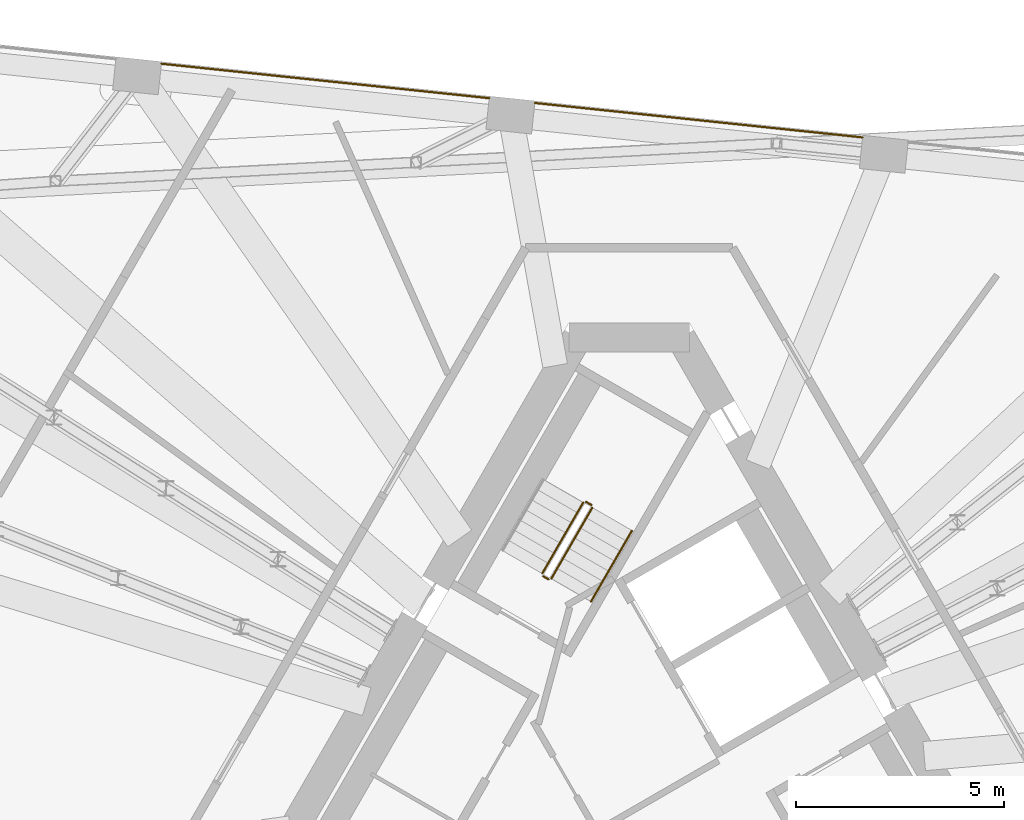
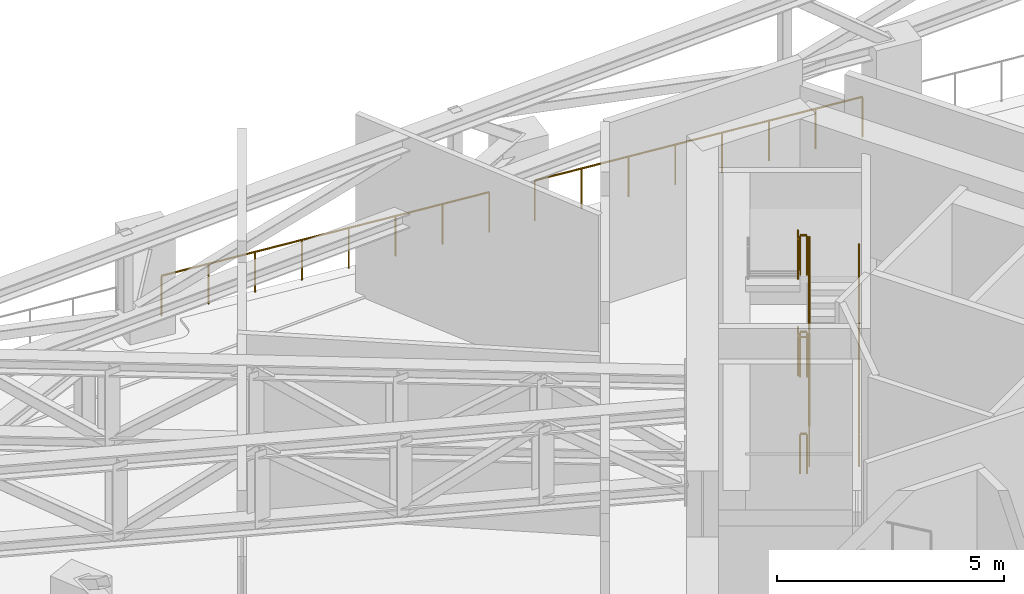
# One storey, part 19 of 20: 12 railings.
"""IFC4 building model written with IfcOpenShell, lengths in metres."""

from ifc_helpers import new_model, si_unit, direction, frame, origin, origin_2d, place, context, subcontext, project, spatial, circle, extrude, material, type_object, element, save


model = new_model("IFC4")

# Units and contexts
model_context = context("Model", 3, precision=1e-05, world=origin(), true_north=direction((0.0, 1.0)))
body_context = subcontext(model_context, "Body", "Model", "MODEL_VIEW")
ifc_project = project(units=[si_unit("LENGTHUNIT", "METRE"), si_unit("AREAUNIT", "SQUARE_METRE"), si_unit("VOLUMEUNIT", "CUBIC_METRE"), si_unit("PLANEANGLEUNIT", "RADIAN"), si_unit("MASSUNIT", "GRAM", prefix="KILO")], contexts=[model_context])

# Site, building, storey
site_placement = place(None, origin())
site = spatial("IfcSite", under=ifc_project, at=site_placement, CompositionType="ELEMENT")
building_placement = place(site_placement, origin())
building = spatial("IfcBuilding", under=site, at=building_placement, Name="Tramontana Tower", CompositionType="ELEMENT")
storey_placement = place(building_placement, frame((0.0, 0.0, 269.199951171875)))
storey = spatial("IfcBuildingStorey", under=building, at=storey_placement, Name="L63", CompositionType="ELEMENT", Elevation=269.199951171875)

# Railings
ifc_material_1 = material(Name="Stainless steel rail and posts", Category="steel")
railing_type_1 = type_object("IfcRailingType", Name="GD2 Terrace guard 1100", PredefinedType="GUARDRAIL", material=ifc_material_1)
for number, where, name in (
    (1, (-3.3583984375, 16.390869140625, 0.0), "Edge guard L63 7"),
    (2, (5.598876953125, 15.449462890625, 0.0), "Edge guard L63 10"),
):
    element("IfcRailing", number, at=place(storey_placement, frame(where)), inside=storey, type_object=railing_type_1, Name=name, PredefinedType="GUARDRAIL", context=body_context, shape_type="SweptSolid", body=[
        extrude(circle(Radius=0.02392578125, at=origin_2d()), frame((0.0, 0.0, 1.076171875), z_axis=(-0.994522528385, 0.104522440343, 0.0), x_axis=(-0.104522440343, -0.994522528385, 0.0)), (0.0, 0.0, 1.0), 7.906494140625),
        extrude(circle(Radius=0.02099609375, at=origin_2d()), origin(), (0.0, 0.0, 1.0), 1.052001953125),
        extrude(circle(Radius=0.02099609375, at=origin_2d()), frame((-1.123291015625, 0.1181640625, 0.0)), (0.0, 0.0, 1.0), 1.052001953125),
        extrude(circle(Radius=0.02099609375, at=origin_2d()), frame((-2.24658203125, 0.236083984375, 0.0)), (0.0, 0.0, 1.0), 1.052001953125),
        extrude(circle(Radius=0.02099609375, at=origin_2d()), frame((-3.369873046875, 0.354248046875, 0.0)), (0.0, 0.0, 1.0), 1.052001953125),
        extrude(circle(Radius=0.02099609375, at=origin_2d()), frame((-4.493408203125, 0.47216796875, 0.0)), (0.0, 0.0, 1.0), 1.052001953125),
        extrude(circle(Radius=0.02099609375, at=origin_2d()), frame((-5.61669921875, 0.59033203125, 0.0)), (0.0, 0.0, 1.0), 1.052001953125),
        extrude(circle(Radius=0.02099609375, at=origin_2d()), frame((-6.739990234375, 0.708251953125, 0.0)), (0.0, 0.0, 1.0), 1.052001953125),
        extrude(circle(Radius=0.02099609375, at=origin_2d()), frame((-7.86328125, 0.826416015625, 0.0)), (0.0, 0.0, 1.0), 1.052001953125),
    ])
ifc_material_2 = material(Name="Painted steel", Category="steel")
railing_type_2 = type_object("IfcRailingType", Name="STAIR GUARD 1100", PredefinedType="GUARDRAIL", material=ifc_material_2)
railing_1_placement = place(storey_placement, frame((-1.867431640625, 4.865478515625, 0.16259765625)))
element("IfcRailing", 3, at=railing_1_placement, inside=storey, type_object=railing_type_2, Name="L63 ST1 stair guard 1", PredefinedType="GUARDRAIL", context=body_context, shape_type="SweptSolid", body=[
    extrude(circle(Radius=0.02392578125, at=origin_2d()), frame((0.0, 0.0, 1.076171875), z_axis=(0.432431929651, 0.749053115811, 0.501918375746), x_axis=(-0.866042469362, 0.499970440388, 0.0)), (0.0, 0.0, 1.0), 2.26611328125),
    extrude(circle(Radius=0.02099609375, at=origin_2d()), origin(), (0.0, 0.0, 1.0), 1.052001953125),
    extrude(circle(Radius=0.02099609375, at=origin_2d()), frame((0.489990234375, 0.8486328125, 0.56884765625)), (0.0, 0.0, 1.0), 1.052001953125),
    extrude(circle(Radius=0.02099609375, at=origin_2d()), frame((0.97998046875, 1.697509765625, 1.137451171875)), (0.0, 0.0, 1.0), 1.052001953125),
])
railing_2_placement = place(storey_placement, frame((-1.10400390625, 6.68798828125, 1.462646484375)))
element("IfcRailing", 4, at=railing_2_placement, inside=storey, type_object=railing_type_2, Name="L63 ST1 stair guard 2", PredefinedType="GUARDRAIL", context=body_context, shape_type="SweptSolid", body=[
    extrude(circle(Radius=0.02392578125, at=origin_2d()), frame((0.0, 0.0, 1.076171875), z_axis=(-0.432431929651, -0.749053115811, 0.501918375746), x_axis=(0.866042469362, -0.499970440388, 0.0)), (0.0, 0.0, 1.0), 2.26611328125),
    extrude(circle(Radius=0.02099609375, at=origin_2d()), origin(), (0.0, 0.0, 1.0), 1.052001953125),
    extrude(circle(Radius=0.02099609375, at=origin_2d()), frame((-0.489990234375, -0.8486328125, 0.56884765625)), (0.0, 0.0, 1.0), 1.052001953125),
    extrude(circle(Radius=0.02099609375, at=origin_2d()), frame((-0.97998046875, -1.697509765625, 1.137451171875)), (0.0, 0.0, 1.0), 1.052001953125),
])
railing_3_placement = place(storey_placement, frame((-1.867431640625, 4.865478515625, 2.762451171875)))
element("IfcRailing", 5, at=railing_3_placement, inside=storey, type_object=railing_type_2, Name="L63 ST1 stair guard 3", PredefinedType="GUARDRAIL", context=body_context, shape_type="SweptSolid", body=[
    extrude(circle(Radius=0.02392578125, at=origin_2d()), frame((0.0, 0.0, 1.076171875), z_axis=(0.432408546523, 0.749012611852, 0.501998960338), x_axis=(-0.866042469362, 0.499970440388, 0.0)), (0.0, 0.0, 1.0), 2.266357421875),
    extrude(circle(Radius=0.02099609375, at=origin_2d()), origin(), (0.0, 0.0, 1.0), 1.052001953125),
    extrude(circle(Radius=0.02099609375, at=origin_2d()), frame((0.489990234375, 0.8486328125, 0.56884765625)), (0.0, 0.0, 1.0), 1.052001953125),
    extrude(circle(Radius=0.02099609375, at=origin_2d()), frame((0.97998046875, 1.697509765625, 1.1376953125)), (0.0, 0.0, 1.0), 1.052001953125),
])
railing_4_placement = place(storey_placement, frame((-1.10400390625, 6.68798828125, 4.0625)))
element("IfcRailing", 6, at=railing_4_placement, inside=storey, type_object=railing_type_2, Name="L63 ST1 stair guard 4", PredefinedType="GUARDRAIL", context=body_context, shape_type="SweptSolid", body=[
    extrude(circle(Radius=0.02392578125, at=origin_2d()), frame((0.0, 0.0, 1.076171875), z_axis=(-0.432431929651, -0.749053115811, 0.501918375746), x_axis=(0.866042469362, -0.499970440388, 0.0)), (0.0, 0.0, 1.0), 2.26611328125),
    extrude(circle(Radius=0.02099609375, at=origin_2d()), origin(), (0.0, 0.0, 1.0), 1.052001953125),
    extrude(circle(Radius=0.02099609375, at=origin_2d()), frame((-0.489990234375, -0.8486328125, 0.56884765625)), (0.0, 0.0, 1.0), 1.052001953125),
    extrude(circle(Radius=0.02099609375, at=origin_2d()), frame((-0.97998046875, -1.697509765625, 1.137451171875)), (0.0, 0.0, 1.0), 1.052001953125),
])
railing_5_placement = place(storey_placement, frame((-0.90576171875, 6.63134765625, 1.300048828125)))
element("IfcRailing", 7, at=railing_5_placement, inside=storey, type_object=railing_type_2, Name="L63 ST1 stair guard 5", PredefinedType="GUARDRAIL", context=body_context, shape_type="SweptSolid", body=[
    extrude(circle(Radius=0.02392578125, at=origin_2d()), frame((0.0, 0.0, 1.076171875), z_axis=(-0.866131372301, 0.499816412211, 0.0), x_axis=(-0.499816412211, -0.866131372301, 0.0)), (0.0, 0.0, 1.0), 0.14990234375),
    extrude(circle(Radius=0.02099609375, at=origin_2d()), origin(), (0.0, 0.0, 1.0), 1.052001953125),
    extrude(circle(Radius=0.02099609375, at=origin_2d()), frame((-0.1298828125, 0.074951171875, 0.0)), (0.0, 0.0, 1.0), 1.052001953125),
])
railing_6_placement = place(storey_placement, frame((-1.935791015625, 4.84716796875, 2.60009765625)))
element("IfcRailing", 8, at=railing_6_placement, inside=storey, type_object=railing_type_2, Name="L63 ST1 stair guard 6", PredefinedType="GUARDRAIL", context=body_context, shape_type="SweptSolid", body=[
    extrude(circle(Radius=0.02392578125, at=origin_2d()), frame((0.0, 0.0, 1.076171875), z_axis=(-0.865426285481, 0.501036270542, 0.0), x_axis=(-0.501036270542, -0.865426285481, 0.0)), (0.0, 0.0, 1.0), 0.150146484375),
    extrude(circle(Radius=0.02099609375, at=origin_2d()), origin(), (0.0, 0.0, 1.0), 1.052001953125),
    extrude(circle(Radius=0.02099609375, at=origin_2d()), frame((-0.1298828125, 0.0751953125, 0.0)), (0.0, 0.0, 1.0), 1.052001953125),
])
railing_7_placement = place(storey_placement, frame((-0.90576171875, 6.63134765625, 3.900146484375)))
element("IfcRailing", 9, at=railing_7_placement, inside=storey, type_object=railing_type_2, Name="L63 ST1 stair guard 7", PredefinedType="GUARDRAIL", context=body_context, shape_type="SweptSolid", body=[
    extrude(circle(Radius=0.02392578125, at=origin_2d()), frame((0.0, 0.0, 1.076171875), z_axis=(-0.866131372301, 0.499816412211, 0.0), x_axis=(-0.499816412211, -0.866131372301, 0.0)), (0.0, 0.0, 1.0), 0.14990234375),
    extrude(circle(Radius=0.02099609375, at=origin_2d()), origin(), (0.0, 0.0, 1.0), 1.052001953125),
    extrude(circle(Radius=0.02099609375, at=origin_2d()), frame((-0.1298828125, 0.074951171875, 0.0)), (0.0, 0.0, 1.0), 1.052001953125),
])
railing_8_placement = place(storey_placement, frame((-1.935791015625, 4.84716796875, 0.0)))
element("IfcRailing", 10, at=railing_8_placement, inside=storey, type_object=railing_type_2, Name="L63 ST1 stair guard 8", PredefinedType="GUARDRAIL", context=body_context, shape_type="SweptSolid", body=[
    extrude(circle(Radius=0.02392578125, at=origin_2d()), frame((0.0, 0.0, 1.076171875), z_axis=(-0.865426285481, 0.501036270542, 0.0), x_axis=(-0.501036270542, -0.865426285481, 0.0)), (0.0, 0.0, 1.0), 0.150146484375),
    extrude(circle(Radius=0.02099609375, at=origin_2d()), origin(), (0.0, 0.0, 1.0), 1.052001953125),
    extrude(circle(Radius=0.02099609375, at=origin_2d()), frame((-0.1298828125, 0.0751953125, 0.0)), (0.0, 0.0, 1.0), 1.052001953125),
])
ifc_material_3 = material(Name="Painted steel", Category="steel")
railing_type_3 = type_object("IfcRailingType", Name="STAIR HANDRAIL 900", PredefinedType="HANDRAIL", material=ifc_material_3)
railing_9_placement = place(storey_placement, frame((-0.914794921875, 4.315673828125, 0.16259765625)))
element("IfcRailing", 11, at=railing_9_placement, inside=storey, type_object=railing_type_3, Name="L63 ST1 stair handrail 1", PredefinedType="HANDRAIL", context=body_context, shape_type="SweptSolid", body=[
    extrude(circle(Radius=0.02392578125, at=origin_2d()), frame((0.0, 0.0, 0.8759765625), z_axis=(0.432466826973, 0.749005824891, 0.501958880634), x_axis=(-0.866011328839, 0.500024377727, 0.0)), (0.0, 0.0, 1.0), 2.26611328125),
    extrude(circle(Radius=0.02099609375, at=origin_2d()), origin(), (0.0, 0.0, 1.0), 0.851806640625),
    extrude(circle(Radius=0.02099609375, at=origin_2d()), frame((0.489990234375, 0.8486328125, 0.56884765625)), (0.0, 0.0, 1.0), 0.851806640625),
    extrude(circle(Radius=0.02099609375, at=origin_2d()), frame((0.97998046875, 1.697265625, 1.137451171875)), (0.0, 0.0, 1.0), 0.851806640625),
])
railing_10_placement = place(storey_placement, frame((-0.914794921875, 4.315673828125, 2.762451171875)))
element("IfcRailing", 12, at=railing_10_placement, inside=storey, type_object=railing_type_3, Name="L63 ST1 stair handrail 3", PredefinedType="HANDRAIL", context=body_context, shape_type="SweptSolid", body=[
    extrude(circle(Radius=0.02392578125, at=origin_2d()), frame((0.0, 0.0, 0.8759765625), z_axis=(0.432443438183, 0.748965316953, 0.502039467347), x_axis=(-0.866011328839, 0.500024377727, 0.0)), (0.0, 0.0, 1.0), 2.26611328125),
    extrude(circle(Radius=0.02099609375, at=origin_2d()), origin(), (0.0, 0.0, 1.0), 0.851806640625),
    extrude(circle(Radius=0.02099609375, at=origin_2d()), frame((0.489990234375, 0.8486328125, 0.56884765625)), (0.0, 0.0, 1.0), 0.851806640625),
    extrude(circle(Radius=0.02099609375, at=origin_2d()), frame((0.97998046875, 1.697265625, 1.1376953125)), (0.0, 0.0, 1.0), 0.851806640625),
])

save(model, "model.ifc")
